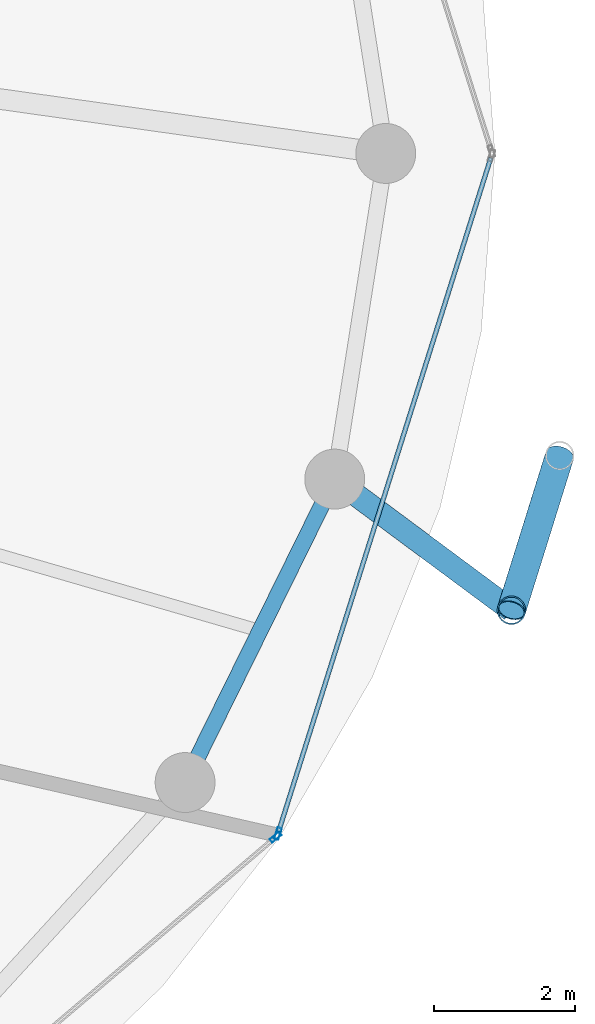
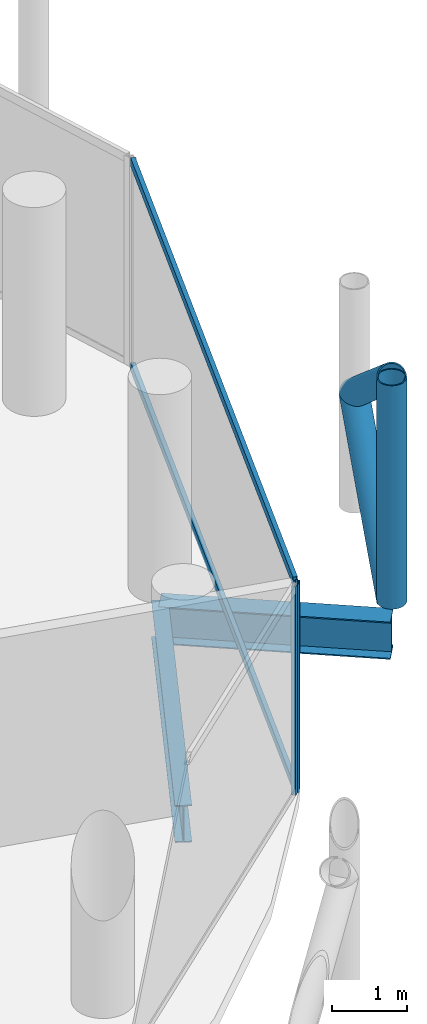
# One storey, part 13 of 27: 7 members, 2 beams, 2 elements without a shape of their own.
"""IFC4 building model written with IfcOpenShell, lengths in metres."""

from ifc_helpers import new_model, si_unit, direction, frame, origin, origin_2d, place, context, subcontext, project, spatial, hollow_rectangle, hollow_circle, i_section, extrude, material, layer, layer_set, material_profile, profile_set, type_object, element, aggregate, save


model = new_model("IFC4")

# Units and contexts
model_context = context("Model", 3, precision=1e-05, world=origin(), true_north=direction((0.0, 1.0)))
body_context = subcontext(model_context, "Body", "Model", "MODEL_VIEW")
ifc_project = project(units=[si_unit("LENGTHUNIT", "METRE"), si_unit("AREAUNIT", "SQUARE_METRE"), si_unit("VOLUMEUNIT", "CUBIC_METRE"), si_unit("PLANEANGLEUNIT", "RADIAN"), si_unit("MASSUNIT", "GRAM", prefix="KILO")], contexts=[model_context])

# Site, building, storey
site_placement = place(None, origin())
site = spatial("IfcSite", under=ifc_project, at=site_placement, CompositionType="ELEMENT")
building_placement = place(site_placement, origin())
building = spatial("IfcBuilding", under=site, at=building_placement, Name="Nuhasar Tower", CompositionType="ELEMENT")
storey_placement = place(building_placement, frame((0.0, 0.0, 215.449951171875)))
storey = spatial("IfcBuildingStorey", under=building, at=storey_placement, Name="L52", CompositionType="ELEMENT", Elevation=215.449951171875)

# Beams
ifc_material_1 = material(Name="Steel S355", Category="steel")
ifc_material_profile_1 = material_profile(ifc_material_1, i_section(OverallWidth=0.22802734375, OverallDepth=0.60791015625, WebThickness=0.01123046875, FlangeThickness=0.017333984375, at=origin_2d()), Name="W24X76")
ifc_profile_set_1 = profile_set([ifc_material_profile_1], Name="Steel S355")
beam_type_1 = type_object("IfcBeamType", Name="BM-RING-W24X76", PredefinedType="SPANDREL", material=ifc_profile_set_1)
beam_1_placement = place(storey_placement, frame((57.403076171875, 17.875, -0.5439453125), z_axis=(0.442262779282, 0.896885518928, 0.0), x_axis=(-0.896885518928, 0.442262779282, 0.0)))
element("IfcBeam", 1, at=beam_1_placement, inside=storey, type_object=beam_type_1, Name="L52 Perimeter Ring Spandrel 23", PredefinedType="SPANDREL", context=body_context, shape_type="SweptSolid", body=[
    extrude(i_section(OverallWidth=0.22802734375, OverallDepth=0.60791015625, WebThickness=0.01123046875, FlangeThickness=0.017333984375, at=origin_2d()), origin(), (0.0, 0.0, 1.0), 4.7998046875),
])
ifc_material_profile_2 = material_profile(ifc_material_1, i_section(OverallWidth=0.323974609375, OverallDepth=0.611083984375, WebThickness=0.0126953125, FlangeThickness=0.01904296875, at=origin_2d()), Name="W24X104")
ifc_profile_set_2 = profile_set([ifc_material_profile_2], Name="Steel S355")
beam_type_2 = type_object("IfcBeamType", Name="BM-TIE-W24X104", PredefinedType="BEAM", material=ifc_profile_set_2)
beam_2_placement = place(storey_placement, frame((59.52587890625, 22.179931640625, -0.544921875), z_axis=(0.802983345014, -0.596001466131, 0.0), x_axis=(0.596001466131, 0.802983345014, 0.0)))
element("IfcBeam", 2, at=beam_2_placement, inside=storey, type_object=beam_type_2, Name="L52 Exoskeleton Node Tie Beam 12", PredefinedType="BEAM", context=body_context, shape_type="SweptSolid", body=[
    extrude(i_section(OverallWidth=0.323974609375, OverallDepth=0.611083984375, WebThickness=0.0126953125, FlangeThickness=0.01904296875, at=origin_2d()), origin(), (0.0, 0.0, 1.0), 3.122314453125),
])

# Curtain wall, member
ifc_material_2 = material(Name="Aluminium 6063-T6", Category="aluminium")
ifc_layer = layer(ifc_material_2, 0.18994140625)
ifc_layer_set = layer_set([ifc_layer], Name="Aluminium 6063-T6")
curtain_wall_type = type_object("IfcCurtainWallType", Name="CW-Z3-RES", PredefinedType="NOTDEFINED", material=ifc_layer_set)
curtain_wall_1_placement = place(storey_placement, origin())
curtain_wall_1 = element("IfcCurtainWall", 3, at=curtain_wall_1_placement, inside=storey, type_object=curtain_wall_type, Name="L52 Unitised Curtain Wall 11", PredefinedType="NOTDEFINED")
ifc_material_profile_3 = material_profile(ifc_material_2, hollow_rectangle(XDim=0.06494140625, YDim=0.169921875, WallThickness=0.0048828125, at=origin_2d()), Name="CWM-4")
ifc_profile_set_3 = profile_set([ifc_material_profile_3], Name="Aluminium 6063-T6")
member_type_1 = type_object("IfcMemberType", Name="CW-MUL-S4", PredefinedType="MULLION", material=ifc_profile_set_3)
member_1_placement = place(storey_placement, frame((58.686279296875, 17.098876953125, 0.0), z_axis=(0.0, 0.0, 1.0), x_axis=(-0.64789521578, 0.761729472562, 0.0)))
member_1 = element("IfcMember", 4, at=member_1_placement, type_object=member_type_1, Name="CW-Z3 mullion 2", PredefinedType="MULLION", context=body_context, shape_type="SweptSolid", body=[
    extrude(hollow_rectangle(XDim=0.06494140625, YDim=0.169921875, WallThickness=0.0048828125, at=origin_2d()), origin(), (0.0, 0.0, 1.0), 3.41015625),
])
aggregate(curtain_wall_1, [member_1])

# Curtain wall, members
curtain_wall_2_placement = place(storey_placement, origin())
curtain_wall_2 = element("IfcCurtainWall", 5, at=curtain_wall_2_placement, inside=storey, type_object=curtain_wall_type, Name="L52 Unitised Curtain Wall 12", PredefinedType="NOTDEFINED")
member_2_placement = place(storey_placement, frame((58.720703125, 17.15087890625, 0.0), z_axis=(0.0, 0.0, 1.0), x_axis=(-0.95380429279, 0.30042864553, 0.0)))
member_2 = element("IfcMember", 6, at=member_2_placement, type_object=member_type_1, Name="CW-Z3 mullion 1", PredefinedType="MULLION", context=body_context, shape_type="SweptSolid", body=[
    extrude(hollow_rectangle(XDim=0.06494140625, YDim=0.169921875, WallThickness=0.0048828125, at=origin_2d()), origin(), (0.0, 0.0, 1.0), 3.41015625),
])
ifc_material_profile_4 = material_profile(ifc_material_2, hollow_rectangle(XDim=0.06494140625, YDim=0.139892578125, WallThickness=0.00439453125, at=origin_2d()), Name="CWT-4")
ifc_profile_set_4 = profile_set([ifc_material_profile_4], Name="Aluminium 6063-T6")
member_type_2 = type_object("IfcMemberType", Name="CW-TRN-S4", PredefinedType="USERDEFINED", material=ifc_profile_set_4)
member_3_placement = place(storey_placement, frame((58.73046875, 17.181884765625, 0.032470703125), z_axis=(0.300430390604, 0.953803743126, 0.0), x_axis=(-0.953803743126, 0.300430390604, 0.0)))
member_3 = element("IfcMember", 7, at=member_3_placement, type_object=member_type_2, Name="CW-Z3 transom 1.1", ObjectType="TRANSOM", PredefinedType="USERDEFINED", context=body_context, shape_type="SweptSolid", body=[
    extrude(hollow_rectangle(XDim=0.06494140625, YDim=0.139892578125, WallThickness=0.00439453125, at=origin_2d()), origin(), (0.0, 0.0, 1.0), 10.01904296875),
])
member_4_placement = place(storey_placement, frame((58.73046875, 17.181884765625, 3.37744140625), z_axis=(0.300430390604, 0.953803743126, 0.0), x_axis=(-0.953803743126, 0.300430390604, 0.0)))
member_4 = element("IfcMember", 8, at=member_4_placement, type_object=member_type_2, Name="CW-Z3 transom 1.2", ObjectType="TRANSOM", PredefinedType="USERDEFINED", context=body_context, shape_type="SweptSolid", body=[
    extrude(hollow_rectangle(XDim=0.06494140625, YDim=0.139892578125, WallThickness=0.00439453125, at=origin_2d()), origin(), (0.0, 0.0, 1.0), 10.01904296875),
])
aggregate(curtain_wall_2, [member_2, member_3, member_4])

# Members
ifc_material_3 = material(Name="Steel S460", Category="steel")
ifc_material_profile_5 = material_profile(ifc_material_3, hollow_circle(Radius=0.203125, WallThickness=0.01904296875, at=origin_2d()), Name="HSS406.4X19.1")
ifc_profile_set_5 = profile_set([ifc_material_profile_5], Name="Steel S460")
member_type_3 = type_object("IfcMemberType", Name="EXO-BRONZE-406", PredefinedType="BRACE", material=ifc_profile_set_5)
member_5_placement = place(storey_placement, frame((62.032958984375, 20.319091796875, 0.0), z_axis=(0.0, 0.0, 1.0), x_axis=(1.0, 0.0, 0.0)))
element("IfcMember", 9, at=member_5_placement, inside=storey, type_object=member_type_3, Name="L52 Exoskeleton Chord Column EC-12A", PredefinedType="BRACE", context=body_context, shape_type="SweptSolid", body=[
    extrude(hollow_circle(Radius=0.203125, WallThickness=0.01904296875, at=origin_2d()), origin(), (0.0, 0.0, 1.0), 3.650146484375),
])
for number, where, z_axis, x_axis, name in (
    (10, (62.032958984375, 20.319091796875, 0.0), (0.233372423355, 0.747689980743, 0.621688832709), (-0.954581948223, 0.297948492404, 0.0), "L52 Bronze Diagrid Brace W1-12"),
    (11, (62.718017578125, 22.513916015625, 1.824951171875), (-0.233360356896, -0.747651321632, 0.621739853228), (0.954581948223, -0.297948492404, 0.0), "L52 Bronze Diagrid Brace W2-12"),
):
    element("IfcMember", number, at=place(storey_placement, frame(where, z_axis=z_axis, x_axis=x_axis)), inside=storey, type_object=member_type_3, Name=name, PredefinedType="BRACE", context=body_context, shape_type="SweptSolid", body=[
        extrude(hollow_circle(Radius=0.203125, WallThickness=0.01904296875, at=origin_2d()), origin(), (0.0, 0.0, 1.0), 2.935546875),
    ])

save(model, "model.ifc")
